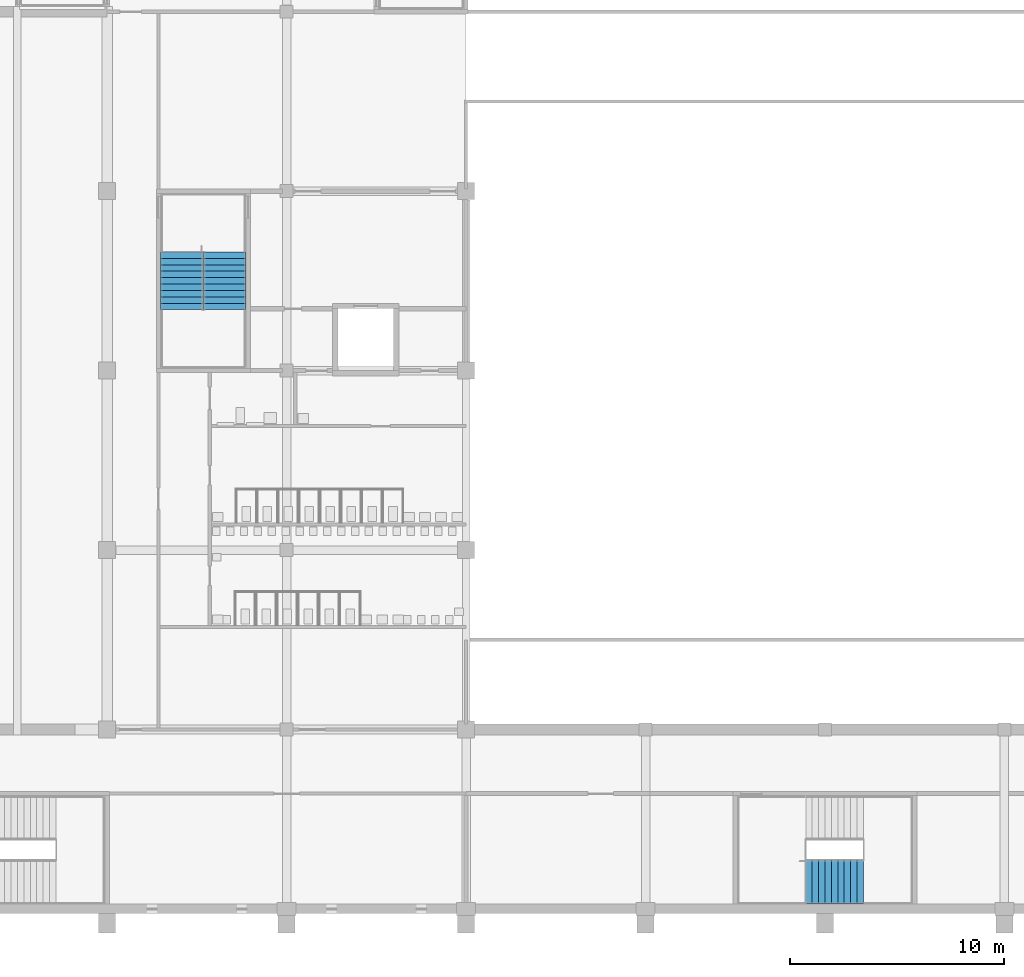
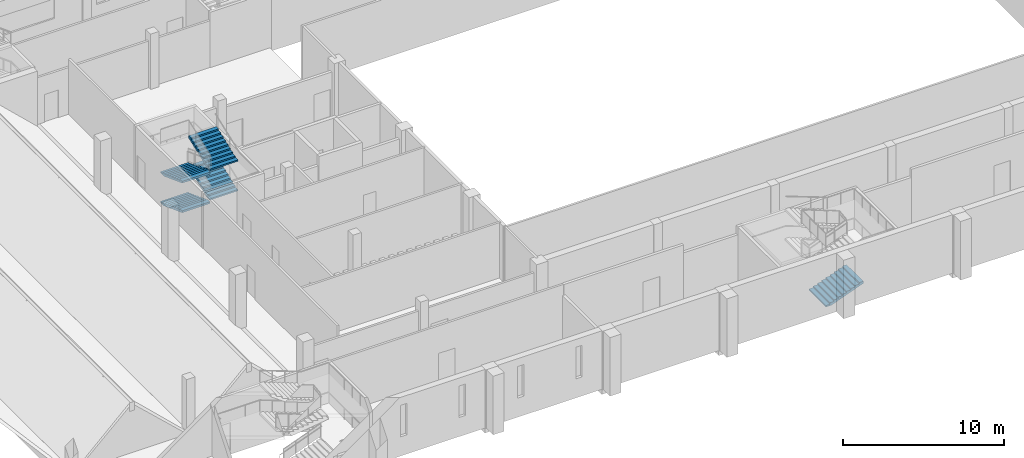
# One storey, part 35 of 56: 5 stair flights, 2 elements without a shape of their own.
"""IFC4 building model written with IfcOpenShell, lengths in metres."""

from ifc_helpers import new_model, si_unit, direction, frame, origin, place, context, subcontext, project, spatial, faceted_brep, material, type_object, element, aggregate, save


model = new_model("IFC4")

# Units and contexts
model_context = context("Model", 3, precision=1e-05, world=origin(), true_north=direction((0.0, 1.0)))
body_context = subcontext(model_context, "Body", "Model", "MODEL_VIEW")
ifc_project = project(units=[si_unit("LENGTHUNIT", "METRE"), si_unit("AREAUNIT", "SQUARE_METRE"), si_unit("VOLUMEUNIT", "CUBIC_METRE"), si_unit("PLANEANGLEUNIT", "RADIAN"), si_unit("MASSUNIT", "GRAM", prefix="KILO")], contexts=[model_context])

# Site, building, storey
site_placement = place(None, origin())
site = spatial("IfcSite", under=ifc_project, at=site_placement, CompositionType="ELEMENT")
building_placement = place(site_placement, origin())
building = spatial("IfcBuilding", under=site, at=building_placement, Name="Rulbaag Community and Learning Centre", CompositionType="ELEMENT")
storey_placement = place(building_placement, frame((0.0, 0.0, 9.89990234375)))
storey = spatial("IfcBuildingStorey", under=building, at=storey_placement, Name="L02", CompositionType="ELEMENT", Elevation=9.89990234375)

# Stair, stair flights
ifc_material = material(Name="Concrete M40", Category="concrete")
stair_type_1 = type_object("IfcStairType", Name="ST-2000 STAIR 2000 WIDE", PredefinedType="HALF_TURN_STAIR", material=ifc_material)
stair_1_placement = place(storey_placement, origin())
stair_1 = element("IfcStair", 1, at=stair_1_placement, inside=storey, type_object=stair_type_1, Name="Stair ST-H1 L02", PredefinedType="HALF_TURN_STAIR")
stair_flight_type_1 = type_object("IfcStairFlightType", Name="FL-2000 FLIGHT 2000 WIDE Concrete M40", PredefinedType="STRAIGHT", material=ifc_material)
stair_flight_1_placement = place(storey_placement, frame((28.699951171875, 30.75, 0.0), z_axis=(0.0, 0.0, 1.0), x_axis=(0.0, -1.0, 0.0)))
stair_flight_1 = element("IfcStairFlight", 2, at=stair_flight_1_placement, type_object=stair_flight_type_1, Name="ST-H1 flight 1", NumberOfRisers=10, NumberOfTreads=9, PredefinedType="STRAIGHT", RiserHeight=0.1125, TreadLength=0.3, context=body_context, shape_type="Brep", body=[
    faceted_brep([(0.3984375, -1.0, 0.0), (2.699951171875, -1.0, 0.863037109375), (2.699951171875, -1.0, 1.012451171875), (2.39990234375, -1.0, 1.012451171875), (2.39990234375, -1.0, 0.89990234375), (2.10009765625, -1.0, 0.89990234375), (2.10009765625, -1.0, 0.78759765625), (1.800048828125, -1.0, 0.78759765625), (1.800048828125, -1.0, 0.675048828125), (1.5, -1.0, 0.675048828125), (1.5, -1.0, 0.5625), (1.199951171875, -1.0, 0.5625), (1.199951171875, -1.0, 0.449951171875), (0.89990234375, -1.0, 0.449951171875), (0.89990234375, -1.0, 0.33740234375), (0.60009765625, -1.0, 0.33740234375), (0.60009765625, -1.0, 0.22509765625), (0.300048828125, -1.0, 0.22509765625), (0.300048828125, -1.0, 0.112548828125), (0.0, -1.0, 0.112548828125), (0.0, -1.0, 0.0), (0.0, 1.0, 0.0), (0.0, 1.0, 0.112548828125), (0.300048828125, 1.0, 0.112548828125), (0.300048828125, 1.0, 0.22509765625), (0.60009765625, 1.0, 0.22509765625), (0.60009765625, 1.0, 0.33740234375), (0.89990234375, 1.0, 0.33740234375), (0.89990234375, 1.0, 0.449951171875), (1.199951171875, 1.0, 0.449951171875), (1.199951171875, 1.0, 0.5625), (1.5, 1.0, 0.5625), (1.5, 1.0, 0.675048828125), (1.800048828125, 1.0, 0.675048828125), (1.800048828125, 1.0, 0.78759765625), (2.10009765625, 1.0, 0.78759765625), (2.10009765625, 1.0, 0.89990234375), (2.39990234375, 1.0, 0.89990234375), (2.39990234375, 1.0, 1.012451171875), (2.699951171875, 1.0, 1.012451171875), (2.699951171875, 1.0, 0.863037109375), (0.3984375, 1.0, 0.0), (0.0, -0.333251953125, 0.112548828125), (0.0, -0.333251953125, 0.0), (0.0, 0.333251953125, 0.112548828125), (0.0, 0.333251953125, 0.0), (0.300048828125, -0.333251953125, 0.112548828125), (0.300048828125, 0.333251953125, 0.112548828125), (0.300048828125, -0.333251953125, 0.22509765625), (0.300048828125, 0.333251953125, 0.22509765625), (0.60009765625, -0.333251953125, 0.22509765625), (0.60009765625, 0.333251953125, 0.22509765625), (0.60009765625, -0.333251953125, 0.33740234375), (0.60009765625, 0.333251953125, 0.33740234375), (0.89990234375, -0.333251953125, 0.33740234375), (0.89990234375, 0.333251953125, 0.33740234375), (0.89990234375, -0.333251953125, 0.449951171875), (0.89990234375, 0.333251953125, 0.449951171875), (1.199951171875, -0.333251953125, 0.449951171875), (1.199951171875, 0.333251953125, 0.449951171875), (1.199951171875, -0.333251953125, 0.5625), (1.199951171875, 0.333251953125, 0.5625), (1.5, -0.333251953125, 0.5625), (1.5, 0.333251953125, 0.5625), (1.5, -0.333251953125, 0.675048828125), (1.5, 0.333251953125, 0.675048828125), (1.800048828125, -0.333251953125, 0.675048828125), (1.800048828125, 0.333251953125, 0.675048828125), (1.800048828125, -0.333251953125, 0.78759765625), (1.800048828125, 0.333251953125, 0.78759765625), (2.10009765625, -0.333251953125, 0.78759765625), (2.10009765625, 0.333251953125, 0.78759765625), (2.10009765625, -0.333251953125, 0.89990234375), (2.10009765625, 0.333251953125, 0.89990234375), (2.39990234375, -0.333251953125, 0.89990234375), (2.39990234375, 0.333251953125, 0.89990234375), (2.39990234375, -0.333251953125, 1.012451171875), (2.39990234375, 0.333251953125, 1.012451171875), (2.699951171875, -0.333251953125, 1.012451171875), (2.699951171875, 0.333251953125, 1.012451171875), (2.699951171875, -0.333251953125, 0.863037109375), (2.699951171875, 0.333251953125, 0.863037109375), (0.3984375, -0.333251953125, 0.0), (0.3984375, 0.333251953125, 0.0)], [[[0, 1, 2, 3, 4, 5, 6, 7, 8, 9, 10, 11, 12, 13, 14, 15, 16, 17, 18, 19, 20]], [[21, 22, 23, 24, 25, 26, 27, 28, 29, 30, 31, 32, 33, 34, 35, 36, 37, 38, 39, 40, 41]], [[20, 19, 42, 43]], [[43, 42, 44, 45]], [[45, 44, 22, 21]], [[19, 18, 46, 42]], [[42, 46, 47, 44]], [[44, 47, 23, 22]], [[18, 17, 48, 46]], [[46, 48, 49, 47]], [[47, 49, 24, 23]], [[17, 16, 50, 48]], [[48, 50, 51, 49]], [[49, 51, 25, 24]], [[16, 15, 52, 50]], [[50, 52, 53, 51]], [[51, 53, 26, 25]], [[15, 14, 54, 52]], [[52, 54, 55, 53]], [[53, 55, 27, 26]], [[14, 13, 56, 54]], [[54, 56, 57, 55]], [[55, 57, 28, 27]], [[13, 12, 58, 56]], [[56, 58, 59, 57]], [[57, 59, 29, 28]], [[12, 11, 60, 58]], [[58, 60, 61, 59]], [[59, 61, 30, 29]], [[11, 10, 62, 60]], [[60, 62, 63, 61]], [[61, 63, 31, 30]], [[10, 9, 64, 62]], [[62, 64, 65, 63]], [[63, 65, 32, 31]], [[9, 8, 66, 64]], [[64, 66, 67, 65]], [[65, 67, 33, 32]], [[8, 7, 68, 66]], [[66, 68, 69, 67]], [[67, 69, 34, 33]], [[7, 6, 70, 68]], [[68, 70, 71, 69]], [[69, 71, 35, 34]], [[6, 5, 72, 70]], [[70, 72, 73, 71]], [[71, 73, 36, 35]], [[5, 4, 74, 72]], [[72, 74, 75, 73]], [[73, 75, 37, 36]], [[4, 3, 76, 74]], [[74, 76, 77, 75]], [[75, 77, 38, 37]], [[3, 2, 78, 76]], [[76, 78, 79, 77]], [[77, 79, 39, 38]], [[2, 1, 80, 78]], [[78, 80, 81, 79]], [[79, 81, 40, 39]], [[1, 0, 82, 80]], [[80, 82, 83, 81]], [[81, 83, 41, 40]], [[0, 20, 43, 82]], [[82, 43, 45, 83]], [[83, 45, 21, 41]]]),
])
stair_flight_2_placement = place(storey_placement, frame((30.699951171875, 28.050048828125, 1.125), z_axis=(0.0, 0.0, 1.0), x_axis=(0.0, 1.0, 0.0)))
stair_flight_2 = element("IfcStairFlight", 3, at=stair_flight_2_placement, type_object=stair_flight_type_1, Name="ST-H1 flight 2", NumberOfRisers=10, NumberOfTreads=9, PredefinedType="STRAIGHT", RiserHeight=0.1125, TreadLength=0.3, context=body_context, shape_type="Brep", body=[
    faceted_brep([(0.3984375, -1.0, 0.0), (2.699951171875, -1.0, 0.863037109375), (2.699951171875, -1.0, 1.012451171875), (2.39990234375, -1.0, 1.012451171875), (2.39990234375, -1.0, 0.89990234375), (2.10009765625, -1.0, 0.89990234375), (2.10009765625, -1.0, 0.78759765625), (1.800048828125, -1.0, 0.78759765625), (1.800048828125, -1.0, 0.675048828125), (1.5, -1.0, 0.675048828125), (1.5, -1.0, 0.5625), (1.199951171875, -1.0, 0.5625), (1.199951171875, -1.0, 0.449951171875), (0.89990234375, -1.0, 0.449951171875), (0.89990234375, -1.0, 0.33740234375), (0.60009765625, -1.0, 0.33740234375), (0.60009765625, -1.0, 0.22509765625), (0.300048828125, -1.0, 0.22509765625), (0.300048828125, -1.0, 0.112548828125), (0.0, -1.0, 0.112548828125), (0.0, -1.0, 0.0), (0.0, 1.0, 0.0), (0.0, 1.0, 0.112548828125), (0.300048828125, 1.0, 0.112548828125), (0.300048828125, 1.0, 0.22509765625), (0.60009765625, 1.0, 0.22509765625), (0.60009765625, 1.0, 0.33740234375), (0.89990234375, 1.0, 0.33740234375), (0.89990234375, 1.0, 0.449951171875), (1.199951171875, 1.0, 0.449951171875), (1.199951171875, 1.0, 0.5625), (1.5, 1.0, 0.5625), (1.5, 1.0, 0.675048828125), (1.800048828125, 1.0, 0.675048828125), (1.800048828125, 1.0, 0.78759765625), (2.10009765625, 1.0, 0.78759765625), (2.10009765625, 1.0, 0.89990234375), (2.39990234375, 1.0, 0.89990234375), (2.39990234375, 1.0, 1.012451171875), (2.699951171875, 1.0, 1.012451171875), (2.699951171875, 1.0, 0.863037109375), (0.3984375, 1.0, 0.0), (0.0, -0.333251953125, 0.112548828125), (0.0, -0.333251953125, 0.0), (0.0, 0.333251953125, 0.112548828125), (0.0, 0.333251953125, 0.0), (0.300048828125, -0.333251953125, 0.112548828125), (0.300048828125, 0.333251953125, 0.112548828125), (0.300048828125, -0.333251953125, 0.22509765625), (0.300048828125, 0.333251953125, 0.22509765625), (0.60009765625, -0.333251953125, 0.22509765625), (0.60009765625, 0.333251953125, 0.22509765625), (0.60009765625, -0.333251953125, 0.33740234375), (0.60009765625, 0.333251953125, 0.33740234375), (0.89990234375, -0.333251953125, 0.33740234375), (0.89990234375, 0.333251953125, 0.33740234375), (0.89990234375, -0.333251953125, 0.449951171875), (0.89990234375, 0.333251953125, 0.449951171875), (1.199951171875, -0.333251953125, 0.449951171875), (1.199951171875, 0.333251953125, 0.449951171875), (1.199951171875, -0.333251953125, 0.5625), (1.199951171875, 0.333251953125, 0.5625), (1.5, -0.333251953125, 0.5625), (1.5, 0.333251953125, 0.5625), (1.5, -0.333251953125, 0.675048828125), (1.5, 0.333251953125, 0.675048828125), (1.800048828125, -0.333251953125, 0.675048828125), (1.800048828125, 0.333251953125, 0.675048828125), (1.800048828125, -0.333251953125, 0.78759765625), (1.800048828125, 0.333251953125, 0.78759765625), (2.10009765625, -0.333251953125, 0.78759765625), (2.10009765625, 0.333251953125, 0.78759765625), (2.10009765625, -0.333251953125, 0.89990234375), (2.10009765625, 0.333251953125, 0.89990234375), (2.39990234375, -0.333251953125, 0.89990234375), (2.39990234375, 0.333251953125, 0.89990234375), (2.39990234375, -0.333251953125, 1.012451171875), (2.39990234375, 0.333251953125, 1.012451171875), (2.699951171875, -0.333251953125, 1.012451171875), (2.699951171875, 0.333251953125, 1.012451171875), (2.699951171875, -0.333251953125, 0.863037109375), (2.699951171875, 0.333251953125, 0.863037109375), (0.3984375, -0.333251953125, 0.0), (0.3984375, 0.333251953125, 0.0)], [[[0, 1, 2, 3, 4, 5, 6, 7, 8, 9, 10, 11, 12, 13, 14, 15, 16, 17, 18, 19, 20]], [[21, 22, 23, 24, 25, 26, 27, 28, 29, 30, 31, 32, 33, 34, 35, 36, 37, 38, 39, 40, 41]], [[20, 19, 42, 43]], [[43, 42, 44, 45]], [[45, 44, 22, 21]], [[19, 18, 46, 42]], [[42, 46, 47, 44]], [[44, 47, 23, 22]], [[18, 17, 48, 46]], [[46, 48, 49, 47]], [[47, 49, 24, 23]], [[17, 16, 50, 48]], [[48, 50, 51, 49]], [[49, 51, 25, 24]], [[16, 15, 52, 50]], [[50, 52, 53, 51]], [[51, 53, 26, 25]], [[15, 14, 54, 52]], [[52, 54, 55, 53]], [[53, 55, 27, 26]], [[14, 13, 56, 54]], [[54, 56, 57, 55]], [[55, 57, 28, 27]], [[13, 12, 58, 56]], [[56, 58, 59, 57]], [[57, 59, 29, 28]], [[12, 11, 60, 58]], [[58, 60, 61, 59]], [[59, 61, 30, 29]], [[11, 10, 62, 60]], [[60, 62, 63, 61]], [[61, 63, 31, 30]], [[10, 9, 64, 62]], [[62, 64, 65, 63]], [[63, 65, 32, 31]], [[9, 8, 66, 64]], [[64, 66, 67, 65]], [[65, 67, 33, 32]], [[8, 7, 68, 66]], [[66, 68, 69, 67]], [[67, 69, 34, 33]], [[7, 6, 70, 68]], [[68, 70, 71, 69]], [[69, 71, 35, 34]], [[6, 5, 72, 70]], [[70, 72, 73, 71]], [[71, 73, 36, 35]], [[5, 4, 74, 72]], [[72, 74, 75, 73]], [[73, 75, 37, 36]], [[4, 3, 76, 74]], [[74, 76, 77, 75]], [[75, 77, 38, 37]], [[3, 2, 78, 76]], [[76, 78, 79, 77]], [[77, 79, 39, 38]], [[2, 1, 80, 78]], [[78, 80, 81, 79]], [[79, 81, 40, 39]], [[1, 0, 82, 80]], [[80, 82, 83, 81]], [[81, 83, 41, 40]], [[0, 20, 43, 82]], [[82, 43, 45, 83]], [[83, 45, 21, 41]]]),
])
stair_flight_3_placement = place(storey_placement, frame((28.699951171875, 30.75, 2.25), z_axis=(0.0, 0.0, 1.0), x_axis=(0.0, -1.0, 0.0)))
stair_flight_3 = element("IfcStairFlight", 4, at=stair_flight_3_placement, type_object=stair_flight_type_1, Name="ST-H1 flight 3", NumberOfRisers=10, NumberOfTreads=9, PredefinedType="STRAIGHT", RiserHeight=0.1125, TreadLength=0.3, context=body_context, shape_type="Brep", body=[
    faceted_brep([(0.3984375, -1.0, 0.0), (2.699951171875, -1.0, 0.863037109375), (2.699951171875, -1.0, 1.012451171875), (2.39990234375, -1.0, 1.012451171875), (2.39990234375, -1.0, 0.89990234375), (2.10009765625, -1.0, 0.89990234375), (2.10009765625, -1.0, 0.78759765625), (1.800048828125, -1.0, 0.78759765625), (1.800048828125, -1.0, 0.675048828125), (1.5, -1.0, 0.675048828125), (1.5, -1.0, 0.5625), (1.199951171875, -1.0, 0.5625), (1.199951171875, -1.0, 0.449951171875), (0.89990234375, -1.0, 0.449951171875), (0.89990234375, -1.0, 0.33740234375), (0.60009765625, -1.0, 0.33740234375), (0.60009765625, -1.0, 0.22509765625), (0.300048828125, -1.0, 0.22509765625), (0.300048828125, -1.0, 0.112548828125), (0.0, -1.0, 0.112548828125), (0.0, -1.0, 0.0), (0.0, 1.0, 0.0), (0.0, 1.0, 0.112548828125), (0.300048828125, 1.0, 0.112548828125), (0.300048828125, 1.0, 0.22509765625), (0.60009765625, 1.0, 0.22509765625), (0.60009765625, 1.0, 0.33740234375), (0.89990234375, 1.0, 0.33740234375), (0.89990234375, 1.0, 0.449951171875), (1.199951171875, 1.0, 0.449951171875), (1.199951171875, 1.0, 0.5625), (1.5, 1.0, 0.5625), (1.5, 1.0, 0.675048828125), (1.800048828125, 1.0, 0.675048828125), (1.800048828125, 1.0, 0.78759765625), (2.10009765625, 1.0, 0.78759765625), (2.10009765625, 1.0, 0.89990234375), (2.39990234375, 1.0, 0.89990234375), (2.39990234375, 1.0, 1.012451171875), (2.699951171875, 1.0, 1.012451171875), (2.699951171875, 1.0, 0.863037109375), (0.3984375, 1.0, 0.0), (0.0, -0.333251953125, 0.112548828125), (0.0, -0.333251953125, 0.0), (0.0, 0.333251953125, 0.112548828125), (0.0, 0.333251953125, 0.0), (0.300048828125, -0.333251953125, 0.112548828125), (0.300048828125, 0.333251953125, 0.112548828125), (0.300048828125, -0.333251953125, 0.22509765625), (0.300048828125, 0.333251953125, 0.22509765625), (0.60009765625, -0.333251953125, 0.22509765625), (0.60009765625, 0.333251953125, 0.22509765625), (0.60009765625, -0.333251953125, 0.33740234375), (0.60009765625, 0.333251953125, 0.33740234375), (0.89990234375, -0.333251953125, 0.33740234375), (0.89990234375, 0.333251953125, 0.33740234375), (0.89990234375, -0.333251953125, 0.449951171875), (0.89990234375, 0.333251953125, 0.449951171875), (1.199951171875, -0.333251953125, 0.449951171875), (1.199951171875, 0.333251953125, 0.449951171875), (1.199951171875, -0.333251953125, 0.5625), (1.199951171875, 0.333251953125, 0.5625), (1.5, -0.333251953125, 0.5625), (1.5, 0.333251953125, 0.5625), (1.5, -0.333251953125, 0.675048828125), (1.5, 0.333251953125, 0.675048828125), (1.800048828125, -0.333251953125, 0.675048828125), (1.800048828125, 0.333251953125, 0.675048828125), (1.800048828125, -0.333251953125, 0.78759765625), (1.800048828125, 0.333251953125, 0.78759765625), (2.10009765625, -0.333251953125, 0.78759765625), (2.10009765625, 0.333251953125, 0.78759765625), (2.10009765625, -0.333251953125, 0.89990234375), (2.10009765625, 0.333251953125, 0.89990234375), (2.39990234375, -0.333251953125, 0.89990234375), (2.39990234375, 0.333251953125, 0.89990234375), (2.39990234375, -0.333251953125, 1.012451171875), (2.39990234375, 0.333251953125, 1.012451171875), (2.699951171875, -0.333251953125, 1.012451171875), (2.699951171875, 0.333251953125, 1.012451171875), (2.699951171875, -0.333251953125, 0.863037109375), (2.699951171875, 0.333251953125, 0.863037109375), (0.3984375, -0.333251953125, 0.0), (0.3984375, 0.333251953125, 0.0)], [[[0, 1, 2, 3, 4, 5, 6, 7, 8, 9, 10, 11, 12, 13, 14, 15, 16, 17, 18, 19, 20]], [[21, 22, 23, 24, 25, 26, 27, 28, 29, 30, 31, 32, 33, 34, 35, 36, 37, 38, 39, 40, 41]], [[20, 19, 42, 43]], [[43, 42, 44, 45]], [[45, 44, 22, 21]], [[19, 18, 46, 42]], [[42, 46, 47, 44]], [[44, 47, 23, 22]], [[18, 17, 48, 46]], [[46, 48, 49, 47]], [[47, 49, 24, 23]], [[17, 16, 50, 48]], [[48, 50, 51, 49]], [[49, 51, 25, 24]], [[16, 15, 52, 50]], [[50, 52, 53, 51]], [[51, 53, 26, 25]], [[15, 14, 54, 52]], [[52, 54, 55, 53]], [[53, 55, 27, 26]], [[14, 13, 56, 54]], [[54, 56, 57, 55]], [[55, 57, 28, 27]], [[13, 12, 58, 56]], [[56, 58, 59, 57]], [[57, 59, 29, 28]], [[12, 11, 60, 58]], [[58, 60, 61, 59]], [[59, 61, 30, 29]], [[11, 10, 62, 60]], [[60, 62, 63, 61]], [[61, 63, 31, 30]], [[10, 9, 64, 62]], [[62, 64, 65, 63]], [[63, 65, 32, 31]], [[9, 8, 66, 64]], [[64, 66, 67, 65]], [[65, 67, 33, 32]], [[8, 7, 68, 66]], [[66, 68, 69, 67]], [[67, 69, 34, 33]], [[7, 6, 70, 68]], [[68, 70, 71, 69]], [[69, 71, 35, 34]], [[6, 5, 72, 70]], [[70, 72, 73, 71]], [[71, 73, 36, 35]], [[5, 4, 74, 72]], [[72, 74, 75, 73]], [[73, 75, 37, 36]], [[4, 3, 76, 74]], [[74, 76, 77, 75]], [[75, 77, 38, 37]], [[3, 2, 78, 76]], [[76, 78, 79, 77]], [[77, 79, 39, 38]], [[2, 1, 80, 78]], [[78, 80, 81, 79]], [[79, 81, 40, 39]], [[1, 0, 82, 80]], [[80, 82, 83, 81]], [[81, 83, 41, 40]], [[0, 20, 43, 82]], [[82, 43, 45, 83]], [[83, 45, 21, 41]]]),
])
stair_flight_4_placement = place(storey_placement, frame((30.699951171875, 28.050048828125, 3.375), z_axis=(0.0, 0.0, 1.0), x_axis=(0.0, 1.0, 0.0)))
stair_flight_4 = element("IfcStairFlight", 5, at=stair_flight_4_placement, type_object=stair_flight_type_1, Name="ST-H1 flight 4", NumberOfRisers=10, NumberOfTreads=9, PredefinedType="STRAIGHT", RiserHeight=0.1125, TreadLength=0.3, context=body_context, shape_type="Brep", body=[
    faceted_brep([(0.3984375, -1.0, 0.0), (2.699951171875, -1.0, 0.863037109375), (2.699951171875, -1.0, 1.012451171875), (2.39990234375, -1.0, 1.012451171875), (2.39990234375, -1.0, 0.89990234375), (2.10009765625, -1.0, 0.89990234375), (2.10009765625, -1.0, 0.78759765625), (1.800048828125, -1.0, 0.78759765625), (1.800048828125, -1.0, 0.675048828125), (1.5, -1.0, 0.675048828125), (1.5, -1.0, 0.5625), (1.199951171875, -1.0, 0.5625), (1.199951171875, -1.0, 0.449951171875), (0.89990234375, -1.0, 0.449951171875), (0.89990234375, -1.0, 0.33740234375), (0.60009765625, -1.0, 0.33740234375), (0.60009765625, -1.0, 0.22509765625), (0.300048828125, -1.0, 0.22509765625), (0.300048828125, -1.0, 0.112548828125), (0.0, -1.0, 0.112548828125), (0.0, -1.0, 0.0), (0.0, 1.0, 0.0), (0.0, 1.0, 0.112548828125), (0.300048828125, 1.0, 0.112548828125), (0.300048828125, 1.0, 0.22509765625), (0.60009765625, 1.0, 0.22509765625), (0.60009765625, 1.0, 0.33740234375), (0.89990234375, 1.0, 0.33740234375), (0.89990234375, 1.0, 0.449951171875), (1.199951171875, 1.0, 0.449951171875), (1.199951171875, 1.0, 0.5625), (1.5, 1.0, 0.5625), (1.5, 1.0, 0.675048828125), (1.800048828125, 1.0, 0.675048828125), (1.800048828125, 1.0, 0.78759765625), (2.10009765625, 1.0, 0.78759765625), (2.10009765625, 1.0, 0.89990234375), (2.39990234375, 1.0, 0.89990234375), (2.39990234375, 1.0, 1.012451171875), (2.699951171875, 1.0, 1.012451171875), (2.699951171875, 1.0, 0.863037109375), (0.3984375, 1.0, 0.0), (0.0, -0.333251953125, 0.112548828125), (0.0, -0.333251953125, 0.0), (0.0, 0.333251953125, 0.112548828125), (0.0, 0.333251953125, 0.0), (0.300048828125, -0.333251953125, 0.112548828125), (0.300048828125, 0.333251953125, 0.112548828125), (0.300048828125, -0.333251953125, 0.22509765625), (0.300048828125, 0.333251953125, 0.22509765625), (0.60009765625, -0.333251953125, 0.22509765625), (0.60009765625, 0.333251953125, 0.22509765625), (0.60009765625, -0.333251953125, 0.33740234375), (0.60009765625, 0.333251953125, 0.33740234375), (0.89990234375, -0.333251953125, 0.33740234375), (0.89990234375, 0.333251953125, 0.33740234375), (0.89990234375, -0.333251953125, 0.449951171875), (0.89990234375, 0.333251953125, 0.449951171875), (1.199951171875, -0.333251953125, 0.449951171875), (1.199951171875, 0.333251953125, 0.449951171875), (1.199951171875, -0.333251953125, 0.5625), (1.199951171875, 0.333251953125, 0.5625), (1.5, -0.333251953125, 0.5625), (1.5, 0.333251953125, 0.5625), (1.5, -0.333251953125, 0.675048828125), (1.5, 0.333251953125, 0.675048828125), (1.800048828125, -0.333251953125, 0.675048828125), (1.800048828125, 0.333251953125, 0.675048828125), (1.800048828125, -0.333251953125, 0.78759765625), (1.800048828125, 0.333251953125, 0.78759765625), (2.10009765625, -0.333251953125, 0.78759765625), (2.10009765625, 0.333251953125, 0.78759765625), (2.10009765625, -0.333251953125, 0.89990234375), (2.10009765625, 0.333251953125, 0.89990234375), (2.39990234375, -0.333251953125, 0.89990234375), (2.39990234375, 0.333251953125, 0.89990234375), (2.39990234375, -0.333251953125, 1.012451171875), (2.39990234375, 0.333251953125, 1.012451171875), (2.699951171875, -0.333251953125, 1.012451171875), (2.699951171875, 0.333251953125, 1.012451171875), (2.699951171875, -0.333251953125, 0.863037109375), (2.699951171875, 0.333251953125, 0.863037109375), (0.3984375, -0.333251953125, 0.0), (0.3984375, 0.333251953125, 0.0)], [[[0, 1, 2, 3, 4, 5, 6, 7, 8, 9, 10, 11, 12, 13, 14, 15, 16, 17, 18, 19, 20]], [[21, 22, 23, 24, 25, 26, 27, 28, 29, 30, 31, 32, 33, 34, 35, 36, 37, 38, 39, 40, 41]], [[20, 19, 42, 43]], [[43, 42, 44, 45]], [[45, 44, 22, 21]], [[19, 18, 46, 42]], [[42, 46, 47, 44]], [[44, 47, 23, 22]], [[18, 17, 48, 46]], [[46, 48, 49, 47]], [[47, 49, 24, 23]], [[17, 16, 50, 48]], [[48, 50, 51, 49]], [[49, 51, 25, 24]], [[16, 15, 52, 50]], [[50, 52, 53, 51]], [[51, 53, 26, 25]], [[15, 14, 54, 52]], [[52, 54, 55, 53]], [[53, 55, 27, 26]], [[14, 13, 56, 54]], [[54, 56, 57, 55]], [[55, 57, 28, 27]], [[13, 12, 58, 56]], [[56, 58, 59, 57]], [[57, 59, 29, 28]], [[12, 11, 60, 58]], [[58, 60, 61, 59]], [[59, 61, 30, 29]], [[11, 10, 62, 60]], [[60, 62, 63, 61]], [[61, 63, 31, 30]], [[10, 9, 64, 62]], [[62, 64, 65, 63]], [[63, 65, 32, 31]], [[9, 8, 66, 64]], [[64, 66, 67, 65]], [[65, 67, 33, 32]], [[8, 7, 68, 66]], [[66, 68, 69, 67]], [[67, 69, 34, 33]], [[7, 6, 70, 68]], [[68, 70, 71, 69]], [[69, 71, 35, 34]], [[6, 5, 72, 70]], [[70, 72, 73, 71]], [[71, 73, 36, 35]], [[5, 4, 74, 72]], [[72, 74, 75, 73]], [[73, 75, 37, 36]], [[4, 3, 76, 74]], [[74, 76, 77, 75]], [[75, 77, 38, 37]], [[3, 2, 78, 76]], [[76, 78, 79, 77]], [[77, 79, 39, 38]], [[2, 1, 80, 78]], [[78, 80, 81, 79]], [[79, 81, 40, 39]], [[1, 0, 82, 80]], [[80, 82, 83, 81]], [[81, 83, 41, 40]], [[0, 20, 43, 82]], [[82, 43, 45, 83]], [[83, 45, 21, 41]]]),
])
aggregate(stair_1, [stair_flight_1, stair_flight_2, stair_flight_3, stair_flight_4])

# Stair, stair flight
stair_type_2 = type_object("IfcStairType", Name="ST-2100 STAIR 2100 WIDE", PredefinedType="HALF_TURN_STAIR", material=ifc_material)
stair_2_placement = place(storey_placement, origin())
stair_2 = element("IfcStair", 6, at=stair_2_placement, inside=storey, type_object=stair_type_2, Name="Stair ST-H8 L02", PredefinedType="HALF_TURN_STAIR")
stair_flight_type_2 = type_object("IfcStairFlightType", Name="FL-2100 FLIGHT 2100 WIDE Concrete M40", PredefinedType="STRAIGHT", material=ifc_material)
stair_flight_5_placement = place(storey_placement, frame((57.89990234375, 1.27490234375, 0.0), z_axis=(0.0, 0.0, 1.0), x_axis=(1.0, 0.0, 0.0)))
stair_flight_5 = element("IfcStairFlight", 7, at=stair_flight_5_placement, type_object=stair_flight_type_2, Name="ST-H8 flight 1", NumberOfRisers=10, NumberOfTreads=9, PredefinedType="STRAIGHT", RiserHeight=0.1125, TreadLength=0.3, context=body_context, shape_type="Brep", body=[
    faceted_brep([(0.3984375, -1.050048828125, 0.0), (2.699951171875, -1.050048828125, 0.863037109375), (2.699951171875, -1.050048828125, 1.012451171875), (2.39990234375, -1.050048828125, 1.012451171875), (2.39990234375, -1.050048828125, 0.89990234375), (2.10009765625, -1.050048828125, 0.89990234375), (2.10009765625, -1.050048828125, 0.78759765625), (1.800048828125, -1.050048828125, 0.78759765625), (1.800048828125, -1.050048828125, 0.675048828125), (1.5, -1.050048828125, 0.675048828125), (1.5, -1.050048828125, 0.5625), (1.199951171875, -1.050048828125, 0.5625), (1.199951171875, -1.050048828125, 0.449951171875), (0.89990234375, -1.050048828125, 0.449951171875), (0.89990234375, -1.050048828125, 0.33740234375), (0.60009765625, -1.050048828125, 0.33740234375), (0.60009765625, -1.050048828125, 0.22509765625), (0.300048828125, -1.050048828125, 0.22509765625), (0.300048828125, -1.050048828125, 0.112548828125), (0.0, -1.050048828125, 0.112548828125), (0.0, -1.050048828125, 0.0), (0.0, 1.050048828125, 0.0), (0.0, 1.050048828125, 0.112548828125), (0.300048828125, 1.050048828125, 0.112548828125), (0.300048828125, 1.050048828125, 0.22509765625), (0.60009765625, 1.050048828125, 0.22509765625), (0.60009765625, 1.050048828125, 0.33740234375), (0.89990234375, 1.050048828125, 0.33740234375), (0.89990234375, 1.050048828125, 0.449951171875), (1.199951171875, 1.050048828125, 0.449951171875), (1.199951171875, 1.050048828125, 0.5625), (1.5, 1.050048828125, 0.5625), (1.5, 1.050048828125, 0.675048828125), (1.800048828125, 1.050048828125, 0.675048828125), (1.800048828125, 1.050048828125, 0.78759765625), (2.10009765625, 1.050048828125, 0.78759765625), (2.10009765625, 1.050048828125, 0.89990234375), (2.39990234375, 1.050048828125, 0.89990234375), (2.39990234375, 1.050048828125, 1.012451171875), (2.699951171875, 1.050048828125, 1.012451171875), (2.699951171875, 1.050048828125, 0.863037109375), (0.3984375, 1.050048828125, 0.0), (0.0, -0.52490234375, 0.112548828125), (0.0, -0.52490234375, 0.0), (0.0, 0.0, 0.112548828125), (0.0, 0.0, 0.0), (0.0, 0.52490234375, 0.112548828125), (0.0, 0.52490234375, 0.0), (0.300048828125, -0.52490234375, 0.112548828125), (0.300048828125, 0.0, 0.112548828125), (0.300048828125, 0.52490234375, 0.112548828125), (0.300048828125, -0.52490234375, 0.22509765625), (0.300048828125, 0.0, 0.22509765625), (0.300048828125, 0.52490234375, 0.22509765625), (0.60009765625, -0.52490234375, 0.22509765625), (0.60009765625, 0.0, 0.22509765625), (0.60009765625, 0.52490234375, 0.22509765625), (0.60009765625, -0.52490234375, 0.33740234375), (0.60009765625, 0.0, 0.33740234375), (0.60009765625, 0.52490234375, 0.33740234375), (0.89990234375, -0.52490234375, 0.33740234375), (0.89990234375, 0.0, 0.33740234375), (0.89990234375, 0.52490234375, 0.33740234375), (0.89990234375, -0.52490234375, 0.449951171875), (0.89990234375, 0.0, 0.449951171875), (0.89990234375, 0.52490234375, 0.449951171875), (1.199951171875, -0.52490234375, 0.449951171875), (1.199951171875, 0.0, 0.449951171875), (1.199951171875, 0.52490234375, 0.449951171875), (1.199951171875, -0.52490234375, 0.5625), (1.199951171875, 0.0, 0.5625), (1.199951171875, 0.52490234375, 0.5625), (1.5, -0.52490234375, 0.5625), (1.5, 0.0, 0.5625), (1.5, 0.52490234375, 0.5625), (1.5, -0.52490234375, 0.675048828125), (1.5, 0.0, 0.675048828125), (1.5, 0.52490234375, 0.675048828125), (1.800048828125, -0.52490234375, 0.675048828125), (1.800048828125, 0.0, 0.675048828125), (1.800048828125, 0.52490234375, 0.675048828125), (1.800048828125, -0.52490234375, 0.78759765625), (1.800048828125, 0.0, 0.78759765625), (1.800048828125, 0.52490234375, 0.78759765625), (2.10009765625, -0.52490234375, 0.78759765625), (2.10009765625, 0.0, 0.78759765625), (2.10009765625, 0.52490234375, 0.78759765625), (2.10009765625, -0.52490234375, 0.89990234375), (2.10009765625, 0.0, 0.89990234375), (2.10009765625, 0.52490234375, 0.89990234375), (2.39990234375, -0.52490234375, 0.89990234375), (2.39990234375, 0.0, 0.89990234375), (2.39990234375, 0.52490234375, 0.89990234375), (2.39990234375, -0.52490234375, 1.012451171875), (2.39990234375, 0.0, 1.012451171875), (2.39990234375, 0.52490234375, 1.012451171875), (2.699951171875, -0.52490234375, 1.012451171875), (2.699951171875, 0.0, 1.012451171875), (2.699951171875, 0.52490234375, 1.012451171875), (2.699951171875, -0.52490234375, 0.863037109375), (2.699951171875, 0.0, 0.863037109375), (2.699951171875, 0.52490234375, 0.863037109375), (0.3984375, -0.52490234375, 0.0), (0.3984375, 0.0, 0.0), (0.3984375, 0.52490234375, 0.0)], [[[0, 1, 2, 3, 4, 5, 6, 7, 8, 9, 10, 11, 12, 13, 14, 15, 16, 17, 18, 19, 20]], [[21, 22, 23, 24, 25, 26, 27, 28, 29, 30, 31, 32, 33, 34, 35, 36, 37, 38, 39, 40, 41]], [[20, 19, 42, 43]], [[43, 42, 44, 45]], [[45, 44, 46, 47]], [[47, 46, 22, 21]], [[19, 18, 48, 42]], [[42, 48, 49, 44]], [[44, 49, 50, 46]], [[46, 50, 23, 22]], [[18, 17, 51, 48]], [[48, 51, 52, 49]], [[49, 52, 53, 50]], [[50, 53, 24, 23]], [[17, 16, 54, 51]], [[51, 54, 55, 52]], [[52, 55, 56, 53]], [[53, 56, 25, 24]], [[16, 15, 57, 54]], [[54, 57, 58, 55]], [[55, 58, 59, 56]], [[56, 59, 26, 25]], [[15, 14, 60, 57]], [[57, 60, 61, 58]], [[58, 61, 62, 59]], [[59, 62, 27, 26]], [[14, 13, 63, 60]], [[60, 63, 64, 61]], [[61, 64, 65, 62]], [[62, 65, 28, 27]], [[13, 12, 66, 63]], [[63, 66, 67, 64]], [[64, 67, 68, 65]], [[65, 68, 29, 28]], [[12, 11, 69, 66]], [[66, 69, 70, 67]], [[67, 70, 71, 68]], [[68, 71, 30, 29]], [[11, 10, 72, 69]], [[69, 72, 73, 70]], [[70, 73, 74, 71]], [[71, 74, 31, 30]], [[10, 9, 75, 72]], [[72, 75, 76, 73]], [[73, 76, 77, 74]], [[74, 77, 32, 31]], [[9, 8, 78, 75]], [[75, 78, 79, 76]], [[76, 79, 80, 77]], [[77, 80, 33, 32]], [[8, 7, 81, 78]], [[78, 81, 82, 79]], [[79, 82, 83, 80]], [[80, 83, 34, 33]], [[7, 6, 84, 81]], [[81, 84, 85, 82]], [[82, 85, 86, 83]], [[83, 86, 35, 34]], [[6, 5, 87, 84]], [[84, 87, 88, 85]], [[85, 88, 89, 86]], [[86, 89, 36, 35]], [[5, 4, 90, 87]], [[87, 90, 91, 88]], [[88, 91, 92, 89]], [[89, 92, 37, 36]], [[4, 3, 93, 90]], [[90, 93, 94, 91]], [[91, 94, 95, 92]], [[92, 95, 38, 37]], [[3, 2, 96, 93]], [[93, 96, 97, 94]], [[94, 97, 98, 95]], [[95, 98, 39, 38]], [[2, 1, 99, 96]], [[96, 99, 100, 97]], [[97, 100, 101, 98]], [[98, 101, 40, 39]], [[1, 0, 102, 99]], [[99, 102, 103, 100]], [[100, 103, 104, 101]], [[101, 104, 41, 40]], [[0, 20, 43, 102]], [[102, 43, 45, 103]], [[103, 45, 47, 104]], [[104, 47, 21, 41]]]),
])
aggregate(stair_2, [stair_flight_5])

save(model, "model.ifc")
